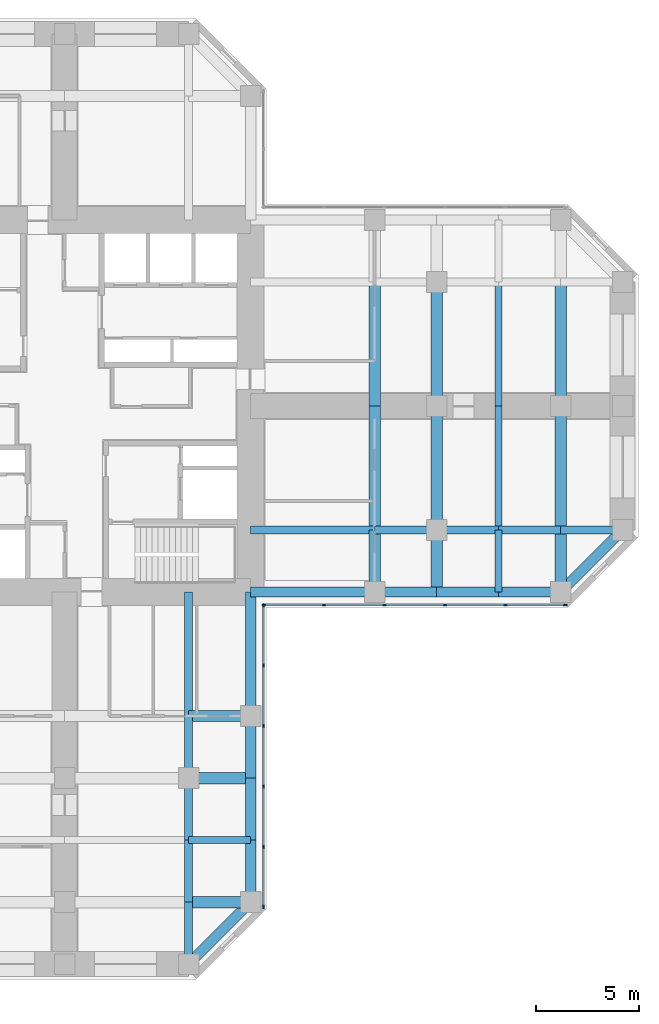
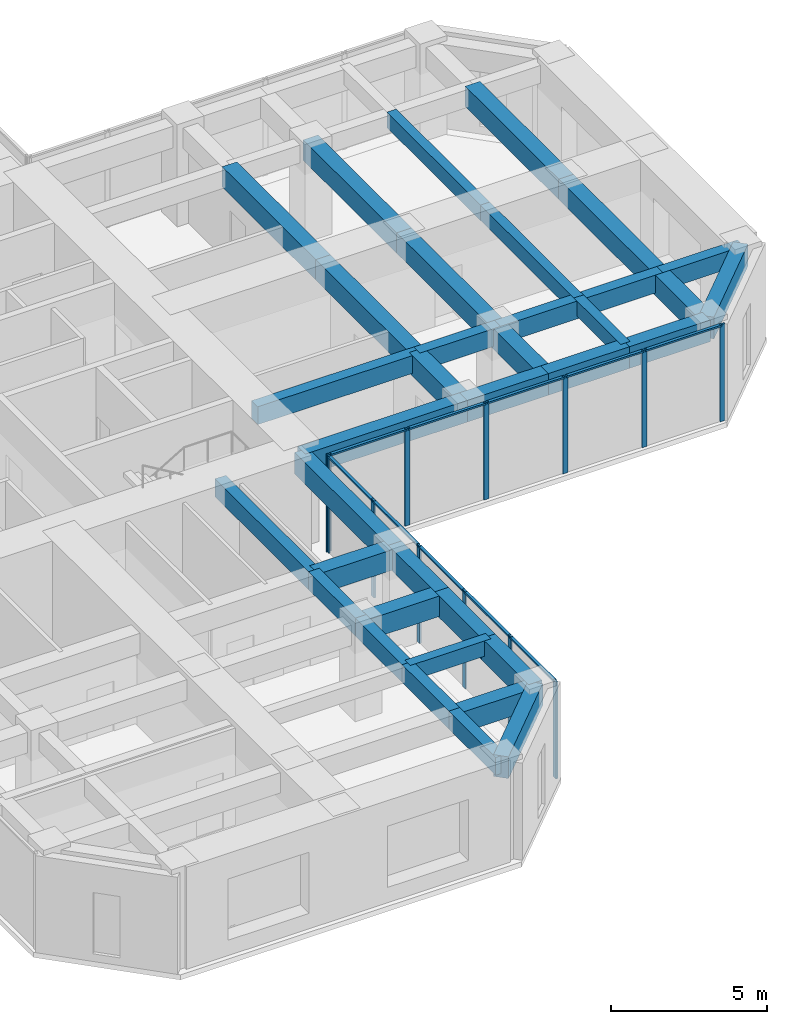
# One storey, part 4 of 12: 36 beams, 22 members, 2 elements without a shape of their own.
"""IFC4 building model written with IfcOpenShell, lengths in metres."""

from ifc_helpers import new_model, si_unit, direction, frame, origin, origin_2d, place, context, subcontext, project, spatial, rectangle, extrude, material, material_profile, profile_set, type_object, element, aggregate, save


model = new_model("IFC4")

# Units and contexts
model_context = context("Model", 3, precision=1e-05, world=origin(), true_north=direction((0.0, 1.0)))
body_context = subcontext(model_context, "Body", "Model", "MODEL_VIEW")
ifc_project = project(units=[si_unit("LENGTHUNIT", "METRE"), si_unit("AREAUNIT", "SQUARE_METRE"), si_unit("VOLUMEUNIT", "CUBIC_METRE"), si_unit("PLANEANGLEUNIT", "RADIAN"), si_unit("MASSUNIT", "GRAM", prefix="KILO")], contexts=[model_context])

# Site, building, storey
site_placement = place(None, origin())
site = spatial("IfcSite", under=ifc_project, at=site_placement, CompositionType="ELEMENT")
building_placement = place(site_placement, origin())
building = spatial("IfcBuilding", under=site, at=building_placement, Name="Torre Cruceta", CompositionType="ELEMENT")
storey_placement = place(building_placement, frame((0.0, 0.0, 140.5)))
storey = spatial("IfcBuildingStorey", under=building, at=storey_placement, Name="L34", CompositionType="ELEMENT", Elevation=140.5)

# Beams
ifc_material_1 = material(Name="Concrete G60 (fck 60 MPa)", Category="concrete")
ifc_material_profile_1 = material_profile(ifc_material_1, rectangle(XDim=0.39990234375, YDim=0.699951171875, at=origin_2d()), Name="RC 400X700")
ifc_profile_set_1 = profile_set([ifc_material_profile_1], Name="Concrete G60 (fck 60 MPa)")
beam_type_1 = type_object("IfcBeamType", Name="COLUMN LINE BEAM RC 400X700", PredefinedType="BEAM", material=ifc_profile_set_1)
beam_1_placement = place(storey_placement, frame((9.0, -6.0, 3.449951171875), z_axis=(1.0, 0.0, 0.0), x_axis=(0.0, 1.0, 0.0)))
element("IfcBeam", 1, at=beam_1_placement, inside=storey, type_object=beam_type_1, Name="LB5 L34 E col- 1", PredefinedType="BEAM", context=body_context, shape_type="SweptSolid", body=[
    extrude(rectangle(XDim=0.39990234375, YDim=0.699951171875, at=origin_2d()), origin(), (0.0, 0.0, 1.0), 6.0),
])
for number, where, z_axis, x_axis, name in (
    (2, (15.0, -6.0, 3.449951171875), (1.0, 0.0, 0.0), (0.0, 1.0, 0.0), "LB5 L34 E col- 2"),
    (3, (18.0, -6.0, 3.449951171875), (1.0, 0.0, 0.0), (0.0, 1.0, 0.0), "LB5 L34 E col- 3"),
    (4, (21.0, -6.0, 3.449951171875), (1.0, 0.0, 0.0), (0.0, 1.0, 0.0), "LB5 L34 E col- 4"),
    (5, (24.0, -6.0, 3.449951171875), (1.0, 0.0, 0.0), (0.0, 1.0, 0.0), "LB5 L34 E col- 5"),
):
    element("IfcBeam", number, at=place(storey_placement, frame(where, z_axis=z_axis, x_axis=x_axis)), inside=storey, type_object=beam_type_1, Name=name, PredefinedType="BEAM", context=body_context, shape_type="SweptSolid", body=[
        extrude(rectangle(XDim=0.39990234375, YDim=0.699951171875, at=origin_2d()), origin(), (0.0, 0.0, 1.0), 3.0),
    ])
beam_2_placement = place(storey_placement, frame((6.0, -9.0, 3.449951171875), z_axis=(0.0, -1.0, 0.0), x_axis=(1.0, 0.0, 0.0)))
element("IfcBeam", 6, at=beam_2_placement, inside=storey, type_object=beam_type_1, Name="LB5 L34 S col+ 1", PredefinedType="BEAM", context=body_context, shape_type="SweptSolid", body=[
    extrude(rectangle(XDim=0.39990234375, YDim=0.699951171875, at=origin_2d()), origin(), (0.0, 0.0, 1.0), 6.0),
])
for number, where, z_axis, x_axis, name in (
    (7, (6.0, -15.0, 3.449951171875), (0.0, -1.0, 0.0), (1.0, 0.0, 0.0), "LB5 L34 S col+ 2"),
    (8, (6.0, -18.0, 3.449951171875), (0.0, -1.0, 0.0), (1.0, 0.0, 0.0), "LB5 L34 S col+ 3"),
    (9, (6.0, -21.0, 3.449951171875), (0.0, -1.0, 0.0), (1.0, 0.0, 0.0), "LB5 L34 S col+ 4"),
    (10, (6.0, -24.0, 3.449951171875), (0.0, -1.0, 0.0), (1.0, 0.0, 0.0), "LB5 L34 S col+ 5"),
):
    element("IfcBeam", number, at=place(storey_placement, frame(where, z_axis=z_axis, x_axis=x_axis)), inside=storey, type_object=beam_type_1, Name=name, PredefinedType="BEAM", context=body_context, shape_type="SweptSolid", body=[
        extrude(rectangle(XDim=0.39990234375, YDim=0.699951171875, at=origin_2d()), origin(), (0.0, 0.0, 1.0), 3.0),
    ])
ifc_material_2 = material(Name="Concrete G60 (fck 60 MPa)", Category="concrete")
ifc_material_profile_2 = material_profile(ifc_material_2, rectangle(XDim=0.550048828125, YDim=0.800048828125, at=origin_2d()), Name="RC 550X800")
ifc_profile_set_2 = profile_set([ifc_material_profile_2], Name="Concrete G60 (fck 60 MPa)")
beam_type_2 = type_object("IfcBeamType", Name="CROSS BEAM RC 550X800", PredefinedType="BEAM", material=ifc_profile_set_2)
beam_3_placement = place(storey_placement, frame((15.0, -9.0, 3.39990234375), z_axis=(0.0, 1.0, 0.0), x_axis=(-1.0, 0.0, 0.0)))
element("IfcBeam", 11, at=beam_3_placement, inside=storey, type_object=beam_type_2, Name="GB5 L34 E cross15 1", PredefinedType="BEAM", context=body_context, shape_type="SweptSolid", body=[
    extrude(rectangle(XDim=0.550048828125, YDim=0.800048828125, at=origin_2d()), origin(), (0.0, 0.0, 1.0), 3.0),
])
for number, where, z_axis, x_axis, name in (
    (12, (15.0, -6.0, 3.39990234375), (0.0, 1.0, 0.0), (-1.0, 0.0, 0.0), "GB5 L34 E cross15 2"),
    (13, (15.0, 0.0, 3.39990234375), (0.0, 1.0, 0.0), (-1.0, 0.0, 0.0), "GB5 L34 E cross15 3"),
):
    element("IfcBeam", number, at=place(storey_placement, frame(where, z_axis=z_axis, x_axis=x_axis)), inside=storey, type_object=beam_type_2, Name=name, PredefinedType="BEAM", context=body_context, shape_type="SweptSolid", body=[
        extrude(rectangle(XDim=0.550048828125, YDim=0.800048828125, at=origin_2d()), origin(), (0.0, 0.0, 1.0), 6.0),
    ])
beam_4_placement = place(storey_placement, frame((18.0, -9.0, 3.39990234375), z_axis=(0.0, 1.0, 0.0), x_axis=(-1.0, 0.0, 0.0)))
element("IfcBeam", 14, at=beam_4_placement, inside=storey, type_object=beam_type_2, Name="GB5 L34 E cross18 1", PredefinedType="BEAM", context=body_context, shape_type="SweptSolid", body=[
    extrude(rectangle(XDim=0.550048828125, YDim=0.800048828125, at=origin_2d()), origin(), (0.0, 0.0, 1.0), 3.0),
])
for number, where, z_axis, x_axis, name in (
    (15, (18.0, -6.0, 3.39990234375), (0.0, 1.0, 0.0), (-1.0, 0.0, 0.0), "GB5 L34 E cross18 2"),
    (16, (18.0, 0.0, 3.39990234375), (0.0, 1.0, 0.0), (-1.0, 0.0, 0.0), "GB5 L34 E cross18 3"),
):
    element("IfcBeam", number, at=place(storey_placement, frame(where, z_axis=z_axis, x_axis=x_axis)), inside=storey, type_object=beam_type_2, Name=name, PredefinedType="BEAM", context=body_context, shape_type="SweptSolid", body=[
        extrude(rectangle(XDim=0.550048828125, YDim=0.800048828125, at=origin_2d()), origin(), (0.0, 0.0, 1.0), 6.0),
    ])
beam_5_placement = place(storey_placement, frame((24.0, -9.0, 3.39990234375), z_axis=(0.0, 1.0, 0.0), x_axis=(-1.0, 0.0, 0.0)))
element("IfcBeam", 17, at=beam_5_placement, inside=storey, type_object=beam_type_2, Name="GB5 L34 E cross24 1", PredefinedType="BEAM", context=body_context, shape_type="SweptSolid", body=[
    extrude(rectangle(XDim=0.550048828125, YDim=0.800048828125, at=origin_2d()), origin(), (0.0, 0.0, 1.0), 3.0),
])
for number, where, z_axis, x_axis, name in (
    (18, (24.0, -6.0, 3.39990234375), (0.0, 1.0, 0.0), (-1.0, 0.0, 0.0), "GB5 L34 E cross24 2"),
    (19, (24.0, 0.0, 3.39990234375), (0.0, 1.0, 0.0), (-1.0, 0.0, 0.0), "GB5 L34 E cross24 3"),
):
    element("IfcBeam", number, at=place(storey_placement, frame(where, z_axis=z_axis, x_axis=x_axis)), inside=storey, type_object=beam_type_2, Name=name, PredefinedType="BEAM", context=body_context, shape_type="SweptSolid", body=[
        extrude(rectangle(XDim=0.550048828125, YDim=0.800048828125, at=origin_2d()), origin(), (0.0, 0.0, 1.0), 6.0),
    ])
for number, where, z_axis, x_axis, name in (
    (20, (6.0, -15.0, 3.39990234375), (1.0, 0.0, 0.0), (0.0, 1.0, 0.0), "GB5 L34 S cross15 4"),
    (21, (6.0, -18.0, 3.39990234375), (1.0, 0.0, 0.0), (0.0, 1.0, 0.0), "GB5 L34 S cross18 4"),
    (22, (6.0, -24.0, 3.39990234375), (1.0, 0.0, 0.0), (0.0, 1.0, 0.0), "GB5 L34 S cross24 4"),
):
    element("IfcBeam", number, at=place(storey_placement, frame(where, z_axis=z_axis, x_axis=x_axis)), inside=storey, type_object=beam_type_2, Name=name, PredefinedType="BEAM", context=body_context, shape_type="SweptSolid", body=[
        extrude(rectangle(XDim=0.550048828125, YDim=0.800048828125, at=origin_2d()), origin(), (0.0, 0.0, 1.0), 3.0),
    ])

# Curtain wall, members
ifc_material_3 = material(Name="Aluminium unitised curtain wall", Category="aluminium")
curtain_wall_type = type_object("IfcCurtainWallType", Name="CURTAIN WALL CW-B OFFICE MID RISE", PredefinedType="USERDEFINED", material=ifc_material_3)
curtain_wall_1_placement = place(storey_placement, origin())
curtain_wall_1 = element("IfcCurtainWall", 23, at=curtain_wall_1_placement, inside=storey, type_object=curtain_wall_type, Name="CW-B L34 E side 00", ObjectType="UNITISED", PredefinedType="USERDEFINED")
ifc_material_4 = material(Name="Aluminium mullion", Category="aluminium")
ifc_material_profile_3 = material_profile(ifc_material_4, rectangle(XDim=0.06494140625, YDim=0.179931640625, at=origin_2d()), Name="AL 65X180")
ifc_profile_set_3 = profile_set([ifc_material_profile_3], Name="Aluminium mullion")
member_type_1 = type_object("IfcMemberType", Name="CW-B MULLION 65X180", PredefinedType="MULLION", material=ifc_profile_set_3)
member_1_placement = place(storey_placement, frame((9.652587890625, -9.6201171875, 0.0), z_axis=(0.0, 0.0, 1.0), x_axis=(0.0, 1.0, 0.0)))
member_1 = element("IfcMember", 24, at=member_1_placement, type_object=member_type_1, Name="CW-B mullion 1", PredefinedType="MULLION", context=body_context, shape_type="SweptSolid", body=[
    extrude(rectangle(XDim=0.06494140625, YDim=0.179931640625, at=origin_2d()), origin(), (0.0, 0.0, 1.0), 3.800048828125),
])
member_2_placement = place(storey_placement, frame((12.54736328125, -9.6201171875, 0.0), z_axis=(0.0, 0.0, 1.0), x_axis=(0.0, 1.0, 0.0)))
member_2 = element("IfcMember", 25, at=member_2_placement, type_object=member_type_1, Name="CW-B mullion 2", PredefinedType="MULLION", context=body_context, shape_type="SweptSolid", body=[
    extrude(rectangle(XDim=0.06494140625, YDim=0.179931640625, at=origin_2d()), origin(), (0.0, 0.0, 1.0), 3.800048828125),
])
member_3_placement = place(storey_placement, frame((15.474609375, -9.6201171875, 0.0), z_axis=(0.0, 0.0, 1.0), x_axis=(0.0, 1.0, 0.0)))
member_3 = element("IfcMember", 26, at=member_3_placement, type_object=member_type_1, Name="CW-B mullion 3", PredefinedType="MULLION", context=body_context, shape_type="SweptSolid", body=[
    extrude(rectangle(XDim=0.06494140625, YDim=0.179931640625, at=origin_2d()), origin(), (0.0, 0.0, 1.0), 3.800048828125),
])
member_4_placement = place(storey_placement, frame((18.402099609375, -9.6201171875, 0.0), z_axis=(0.0, 0.0, 1.0), x_axis=(0.0, 1.0, 0.0)))
member_4 = element("IfcMember", 27, at=member_4_placement, type_object=member_type_1, Name="CW-B mullion 4", PredefinedType="MULLION", context=body_context, shape_type="SweptSolid", body=[
    extrude(rectangle(XDim=0.06494140625, YDim=0.179931640625, at=origin_2d()), origin(), (0.0, 0.0, 1.0), 3.800048828125),
])
member_5_placement = place(storey_placement, frame((21.329345703125, -9.6201171875, 0.0), z_axis=(0.0, 0.0, 1.0), x_axis=(0.0, 1.0, 0.0)))
member_5 = element("IfcMember", 28, at=member_5_placement, type_object=member_type_1, Name="CW-B mullion 5", PredefinedType="MULLION", context=body_context, shape_type="SweptSolid", body=[
    extrude(rectangle(XDim=0.06494140625, YDim=0.179931640625, at=origin_2d()), origin(), (0.0, 0.0, 1.0), 3.800048828125),
])
member_6_placement = place(storey_placement, frame((24.224365234375, -9.6201171875, 0.0), z_axis=(0.0, 0.0, 1.0), x_axis=(0.0, 1.0, 0.0)))
member_6 = element("IfcMember", 29, at=member_6_placement, type_object=member_type_1, Name="CW-B mullion 6", PredefinedType="MULLION", context=body_context, shape_type="SweptSolid", body=[
    extrude(rectangle(XDim=0.06494140625, YDim=0.179931640625, at=origin_2d()), origin(), (0.0, 0.0, 1.0), 3.800048828125),
])

curtain_wall_2_placement = place(storey_placement, origin())
curtain_wall_2 = element("IfcCurtainWall", 30, at=curtain_wall_2_placement, inside=storey, type_object=curtain_wall_type, Name="CW-B L34 S side 19", ObjectType="UNITISED", PredefinedType="USERDEFINED")
member_7_placement = place(storey_placement, frame((9.6201171875, -24.224365234375, 0.0), z_axis=(0.0, 0.0, 1.0), x_axis=(-1.0, 0.0, 0.0)))
member_7 = element("IfcMember", 31, at=member_7_placement, type_object=member_type_1, Name="CW-B mullion 1", PredefinedType="MULLION", context=body_context, shape_type="SweptSolid", body=[
    extrude(rectangle(XDim=0.06494140625, YDim=0.179931640625, at=origin_2d()), origin(), (0.0, 0.0, 1.0), 3.800048828125),
])
member_8_placement = place(storey_placement, frame((9.6201171875, -21.329345703125, 0.0), z_axis=(0.0, 0.0, 1.0), x_axis=(-1.0, 0.0, 0.0)))
member_8 = element("IfcMember", 32, at=member_8_placement, type_object=member_type_1, Name="CW-B mullion 2", PredefinedType="MULLION", context=body_context, shape_type="SweptSolid", body=[
    extrude(rectangle(XDim=0.06494140625, YDim=0.179931640625, at=origin_2d()), origin(), (0.0, 0.0, 1.0), 3.800048828125),
])
member_9_placement = place(storey_placement, frame((9.6201171875, -18.402099609375, 0.0), z_axis=(0.0, 0.0, 1.0), x_axis=(-1.0, 0.0, 0.0)))
member_9 = element("IfcMember", 33, at=member_9_placement, type_object=member_type_1, Name="CW-B mullion 3", PredefinedType="MULLION", context=body_context, shape_type="SweptSolid", body=[
    extrude(rectangle(XDim=0.06494140625, YDim=0.179931640625, at=origin_2d()), origin(), (0.0, 0.0, 1.0), 3.800048828125),
])
member_10_placement = place(storey_placement, frame((9.6201171875, -15.474609375, 0.0), z_axis=(0.0, 0.0, 1.0), x_axis=(-1.0, 0.0, 0.0)))
member_10 = element("IfcMember", 34, at=member_10_placement, type_object=member_type_1, Name="CW-B mullion 4", PredefinedType="MULLION", context=body_context, shape_type="SweptSolid", body=[
    extrude(rectangle(XDim=0.06494140625, YDim=0.179931640625, at=origin_2d()), origin(), (0.0, 0.0, 1.0), 3.800048828125),
])
member_11_placement = place(storey_placement, frame((9.6201171875, -12.54736328125, 0.0), z_axis=(0.0, 0.0, 1.0), x_axis=(-1.0, 0.0, 0.0)))
member_11 = element("IfcMember", 35, at=member_11_placement, type_object=member_type_1, Name="CW-B mullion 5", PredefinedType="MULLION", context=body_context, shape_type="SweptSolid", body=[
    extrude(rectangle(XDim=0.06494140625, YDim=0.179931640625, at=origin_2d()), origin(), (0.0, 0.0, 1.0), 3.800048828125),
])
member_12_placement = place(storey_placement, frame((9.6201171875, -9.652587890625, 0.0), z_axis=(0.0, 0.0, 1.0), x_axis=(-1.0, 0.0, 0.0)))
member_12 = element("IfcMember", 36, at=member_12_placement, type_object=member_type_1, Name="CW-B mullion 6", PredefinedType="MULLION", context=body_context, shape_type="SweptSolid", body=[
    extrude(rectangle(XDim=0.06494140625, YDim=0.179931640625, at=origin_2d()), origin(), (0.0, 0.0, 1.0), 3.800048828125),
])

# Member
ifc_material_5 = material(Name="Aluminium transom", Category="aluminium")
ifc_material_profile_4 = material_profile(ifc_material_5, rectangle(XDim=0.110107421875, YDim=0.06494140625, at=origin_2d()), Name="AL 110X65")
ifc_profile_set_4 = profile_set([ifc_material_profile_4], Name="Aluminium transom")
member_type_2 = type_object("IfcMemberType", Name="CW-B TRANSOM 65X110", PredefinedType="USERDEFINED", material=ifc_profile_set_4)
member_13_placement = place(storey_placement, frame((9.68505859375, -9.6201171875, 3.767578125), z_axis=(1.0, 0.0, 0.0), x_axis=(0.0, 1.0, 0.0)))
member_13 = element("IfcMember", 37, at=member_13_placement, type_object=member_type_2, Name="CW-B transom 1", ObjectType="TRANSOM", PredefinedType="USERDEFINED", context=body_context, shape_type="SweptSolid", body=[
    extrude(rectangle(XDim=0.110107421875, YDim=0.06494140625, at=origin_2d()), origin(), (0.0, 0.0, 1.0), 2.829833984375),
])

member_14_placement = place(storey_placement, frame((12.579833984375, -9.6201171875, 3.767578125), z_axis=(1.0, 0.0, 0.0), x_axis=(0.0, 1.0, 0.0)))
member_14 = element("IfcMember", 38, at=member_14_placement, type_object=member_type_2, Name="CW-B transom 2", ObjectType="TRANSOM", PredefinedType="USERDEFINED", context=body_context, shape_type="SweptSolid", body=[
    extrude(rectangle(XDim=0.110107421875, YDim=0.06494140625, at=origin_2d()), origin(), (0.0, 0.0, 1.0), 2.8623046875),
])

member_15_placement = place(storey_placement, frame((15.50732421875, -9.6201171875, 3.767578125), z_axis=(1.0, 0.0, 0.0), x_axis=(0.0, 1.0, 0.0)))
member_15 = element("IfcMember", 39, at=member_15_placement, type_object=member_type_2, Name="CW-B transom 3", ObjectType="TRANSOM", PredefinedType="USERDEFINED", context=body_context, shape_type="SweptSolid", body=[
    extrude(rectangle(XDim=0.110107421875, YDim=0.06494140625, at=origin_2d()), origin(), (0.0, 0.0, 1.0), 2.8623046875),
])

member_16_placement = place(storey_placement, frame((18.4345703125, -9.6201171875, 3.767578125), z_axis=(1.0, 0.0, 0.0), x_axis=(0.0, 1.0, 0.0)))
member_16 = element("IfcMember", 40, at=member_16_placement, type_object=member_type_2, Name="CW-B transom 4", ObjectType="TRANSOM", PredefinedType="USERDEFINED", context=body_context, shape_type="SweptSolid", body=[
    extrude(rectangle(XDim=0.110107421875, YDim=0.06494140625, at=origin_2d()), origin(), (0.0, 0.0, 1.0), 2.8623046875),
])

member_17_placement = place(storey_placement, frame((21.362060546875, -9.6201171875, 3.767578125), z_axis=(1.0, 0.0, 0.0), x_axis=(0.0, 1.0, 0.0)))
member_17 = element("IfcMember", 41, at=member_17_placement, type_object=member_type_2, Name="CW-B transom 5", ObjectType="TRANSOM", PredefinedType="USERDEFINED", context=body_context, shape_type="SweptSolid", body=[
    extrude(rectangle(XDim=0.110107421875, YDim=0.06494140625, at=origin_2d()), origin(), (0.0, 0.0, 1.0), 2.829833984375),
])

aggregate(curtain_wall_1, [member_1, member_2, member_3, member_4, member_5, member_6, member_13, member_14, member_15, member_16, member_17])

member_18_placement = place(storey_placement, frame((9.6201171875, -24.19189453125, 3.767578125), z_axis=(0.0, 1.0, 0.0), x_axis=(-1.0, 0.0, 0.0)))
member_18 = element("IfcMember", 42, at=member_18_placement, type_object=member_type_2, Name="CW-B transom 1", ObjectType="TRANSOM", PredefinedType="USERDEFINED", context=body_context, shape_type="SweptSolid", body=[
    extrude(rectangle(XDim=0.110107421875, YDim=0.06494140625, at=origin_2d()), origin(), (0.0, 0.0, 1.0), 2.829833984375),
])

member_19_placement = place(storey_placement, frame((9.6201171875, -21.296875, 3.767578125), z_axis=(0.0, 1.0, 0.0), x_axis=(-1.0, 0.0, 0.0)))
member_19 = element("IfcMember", 43, at=member_19_placement, type_object=member_type_2, Name="CW-B transom 2", ObjectType="TRANSOM", PredefinedType="USERDEFINED", context=body_context, shape_type="SweptSolid", body=[
    extrude(rectangle(XDim=0.110107421875, YDim=0.06494140625, at=origin_2d()), origin(), (0.0, 0.0, 1.0), 2.8623046875),
])

member_20_placement = place(storey_placement, frame((9.6201171875, -18.36962890625, 3.767578125), z_axis=(0.0, 1.0, 0.0), x_axis=(-1.0, 0.0, 0.0)))
member_20 = element("IfcMember", 44, at=member_20_placement, type_object=member_type_2, Name="CW-B transom 3", ObjectType="TRANSOM", PredefinedType="USERDEFINED", context=body_context, shape_type="SweptSolid", body=[
    extrude(rectangle(XDim=0.110107421875, YDim=0.06494140625, at=origin_2d()), origin(), (0.0, 0.0, 1.0), 2.8623046875),
])

member_21_placement = place(storey_placement, frame((9.6201171875, -15.442138671875, 3.767578125), z_axis=(0.0, 1.0, 0.0), x_axis=(-1.0, 0.0, 0.0)))
member_21 = element("IfcMember", 45, at=member_21_placement, type_object=member_type_2, Name="CW-B transom 4", ObjectType="TRANSOM", PredefinedType="USERDEFINED", context=body_context, shape_type="SweptSolid", body=[
    extrude(rectangle(XDim=0.110107421875, YDim=0.06494140625, at=origin_2d()), origin(), (0.0, 0.0, 1.0), 2.8623046875),
])

member_22_placement = place(storey_placement, frame((9.6201171875, -12.514892578125, 3.767578125), z_axis=(0.0, 1.0, 0.0), x_axis=(-1.0, 0.0, 0.0)))
member_22 = element("IfcMember", 46, at=member_22_placement, type_object=member_type_2, Name="CW-B transom 5", ObjectType="TRANSOM", PredefinedType="USERDEFINED", context=body_context, shape_type="SweptSolid", body=[
    extrude(rectangle(XDim=0.110107421875, YDim=0.06494140625, at=origin_2d()), origin(), (0.0, 0.0, 1.0), 2.829833984375),
])

aggregate(curtain_wall_2, [member_7, member_8, member_9, member_10, member_11, member_12, member_18, member_19, member_20, member_21, member_22])

# Beams
ifc_material_6 = material(Name="Concrete G60 (fck 60 MPa)", Category="concrete")
ifc_material_profile_5 = material_profile(ifc_material_6, rectangle(XDim=0.35009765625, YDim=0.60009765625, at=origin_2d()), Name="RC 350X600")
ifc_profile_set_5 = profile_set([ifc_material_profile_5], Name="Concrete G60 (fck 60 MPa)")
beam_type_3 = type_object("IfcBeamType", Name="SECONDARY BEAM RC 350X600", PredefinedType="JOIST", material=ifc_profile_set_5)
beam_6_placement = place(storey_placement, frame((21.0, -9.0, 3.5), z_axis=(0.0, 1.0, 0.0), x_axis=(-1.0, 0.0, 0.0)))
element("IfcBeam", 47, at=beam_6_placement, inside=storey, type_object=beam_type_3, Name="JB5 L34 E sec21 1", PredefinedType="JOIST", context=body_context, shape_type="SweptSolid", body=[
    extrude(rectangle(XDim=0.35009765625, YDim=0.60009765625, at=origin_2d()), origin(), (0.0, 0.0, 1.0), 3.0),
])
for number, where, z_axis, x_axis, name in (
    (48, (21.0, -6.0, 3.5), (0.0, 1.0, 0.0), (-1.0, 0.0, 0.0), "JB5 L34 E sec21 2"),
    (49, (21.0, 0.0, 3.5), (0.0, 1.0, 0.0), (-1.0, 0.0, 0.0), "JB5 L34 E sec21 3"),
):
    element("IfcBeam", number, at=place(storey_placement, frame(where, z_axis=z_axis, x_axis=x_axis)), inside=storey, type_object=beam_type_3, Name=name, PredefinedType="JOIST", context=body_context, shape_type="SweptSolid", body=[
        extrude(rectangle(XDim=0.35009765625, YDim=0.60009765625, at=origin_2d()), origin(), (0.0, 0.0, 1.0), 6.0),
    ])
beam_7_placement = place(storey_placement, frame((6.0, -21.0, 3.5), z_axis=(1.0, 0.0, 0.0), x_axis=(0.0, 1.0, 0.0)))
element("IfcBeam", 50, at=beam_7_placement, inside=storey, type_object=beam_type_3, Name="JB5 L34 S sec21 4", PredefinedType="JOIST", context=body_context, shape_type="SweptSolid", body=[
    extrude(rectangle(XDim=0.35009765625, YDim=0.60009765625, at=origin_2d()), origin(), (0.0, 0.0, 1.0), 3.0),
])
ifc_material_7 = material(Name="Concrete G60 (fck 60 MPa)", Category="concrete")
ifc_material_profile_6 = material_profile(ifc_material_7, rectangle(XDim=0.5, YDim=0.85009765625, at=origin_2d()), Name="RC 500X850")
ifc_profile_set_6 = profile_set([ifc_material_profile_6], Name="Concrete G60 (fck 60 MPa)")
beam_type_4 = type_object("IfcBeamType", Name="SPANDREL BEAM RC 500X850", PredefinedType="SPANDREL", material=ifc_profile_set_6)
beam_8_placement = place(storey_placement, frame((9.0, -9.0, 3.375), z_axis=(1.0, 0.0, 0.0), x_axis=(0.0, 1.0, 0.0)))
element("IfcBeam", 51, at=beam_8_placement, inside=storey, type_object=beam_type_4, Name="SB5 L34 E side- 1", PredefinedType="SPANDREL", context=body_context, shape_type="SweptSolid", body=[
    extrude(rectangle(XDim=0.5, YDim=0.85009765625, at=origin_2d()), origin(), (0.0, 0.0, 1.0), 6.0),
])
for number, where, z_axis, x_axis, name in (
    (52, (15.0, -9.0, 3.375), (1.0, 0.0, 0.0), (0.0, 1.0, 0.0), "SB5 L34 E side- 2"),
    (53, (18.0, -9.0, 3.375), (1.0, 0.0, 0.0), (0.0, 1.0, 0.0), "SB5 L34 E side- 3"),
    (54, (21.0, -9.0, 3.375), (1.0, 0.0, 0.0), (0.0, 1.0, 0.0), "SB5 L34 E side- 4"),
):
    element("IfcBeam", number, at=place(storey_placement, frame(where, z_axis=z_axis, x_axis=x_axis)), inside=storey, type_object=beam_type_4, Name=name, PredefinedType="SPANDREL", context=body_context, shape_type="SweptSolid", body=[
        extrude(rectangle(XDim=0.5, YDim=0.85009765625, at=origin_2d()), origin(), (0.0, 0.0, 1.0), 3.0),
    ])
beam_9_placement = place(storey_placement, frame((24.0, -9.0, 3.375), z_axis=(0.707106781187, 0.707106781187, 0.0), x_axis=(-0.707106781187, 0.707106781187, 0.0)))
element("IfcBeam", 55, at=beam_9_placement, inside=storey, type_object=beam_type_4, Name="SB5 L34 E side- 5", PredefinedType="SPANDREL", context=body_context, shape_type="SweptSolid", body=[
    extrude(rectangle(XDim=0.5, YDim=0.85009765625, at=origin_2d()), origin(), (0.0, 0.0, 1.0), 4.24267578125),
])
beam_10_placement = place(storey_placement, frame((9.0, -9.0, 3.375), z_axis=(0.0, -1.0, 0.0), x_axis=(1.0, 0.0, 0.0)))
element("IfcBeam", 56, at=beam_10_placement, inside=storey, type_object=beam_type_4, Name="SB5 L34 S side+ 1", PredefinedType="SPANDREL", context=body_context, shape_type="SweptSolid", body=[
    extrude(rectangle(XDim=0.5, YDim=0.85009765625, at=origin_2d()), origin(), (0.0, 0.0, 1.0), 6.0),
])
for number, where, z_axis, x_axis, name in (
    (57, (9.0, -15.0, 3.375), (0.0, -1.0, 0.0), (1.0, 0.0, 0.0), "SB5 L34 S side+ 2"),
    (58, (9.0, -18.0, 3.375), (0.0, -1.0, 0.0), (1.0, 0.0, 0.0), "SB5 L34 S side+ 3"),
    (59, (9.0, -21.0, 3.375), (0.0, -1.0, 0.0), (1.0, 0.0, 0.0), "SB5 L34 S side+ 4"),
):
    element("IfcBeam", number, at=place(storey_placement, frame(where, z_axis=z_axis, x_axis=x_axis)), inside=storey, type_object=beam_type_4, Name=name, PredefinedType="SPANDREL", context=body_context, shape_type="SweptSolid", body=[
        extrude(rectangle(XDim=0.5, YDim=0.85009765625, at=origin_2d()), origin(), (0.0, 0.0, 1.0), 3.0),
    ])
beam_11_placement = place(storey_placement, frame((9.0, -24.0, 3.375), z_axis=(-0.707106781187, -0.707106781187, 0.0), x_axis=(0.707106781187, -0.707106781187, 0.0)))
element("IfcBeam", 60, at=beam_11_placement, inside=storey, type_object=beam_type_4, Name="SB5 L34 S side+ 5", PredefinedType="SPANDREL", context=body_context, shape_type="SweptSolid", body=[
    extrude(rectangle(XDim=0.5, YDim=0.85009765625, at=origin_2d()), origin(), (0.0, 0.0, 1.0), 4.24267578125),
])

save(model, "model.ifc")
